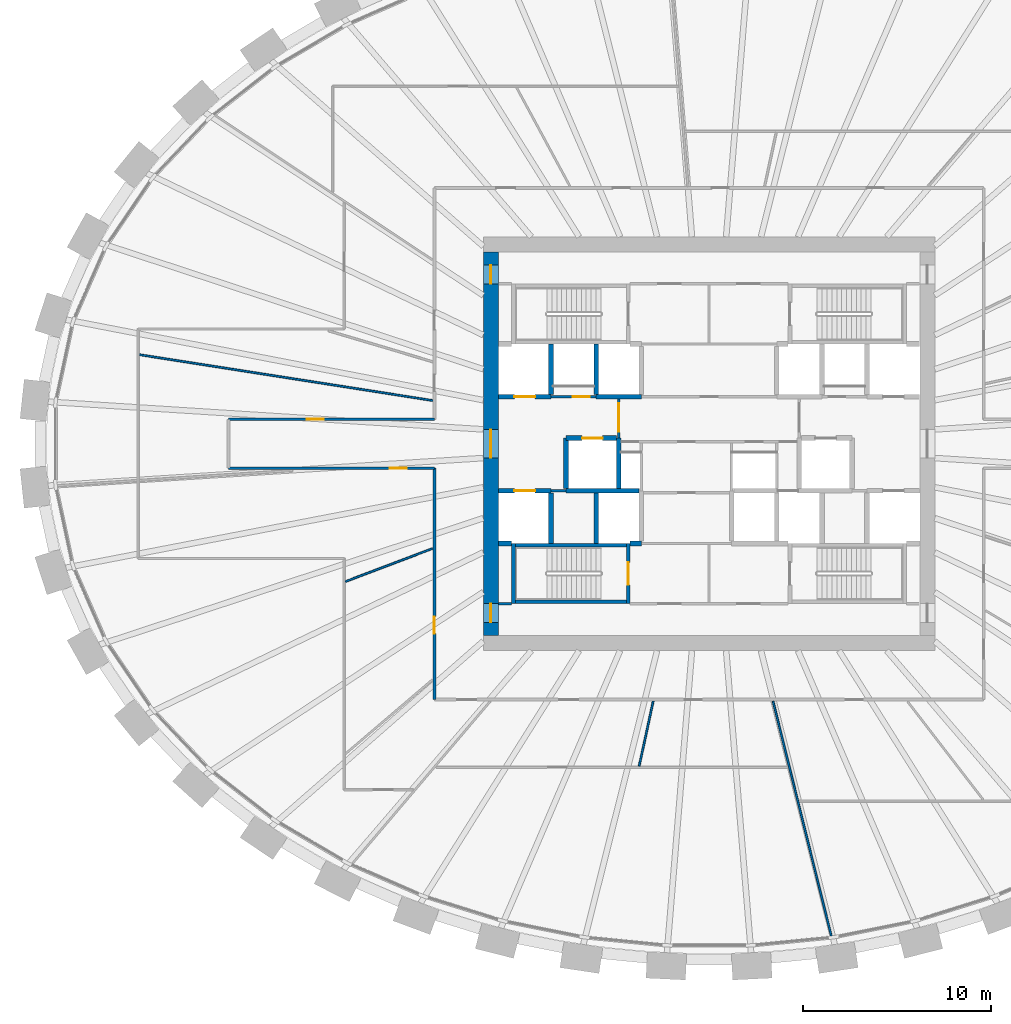
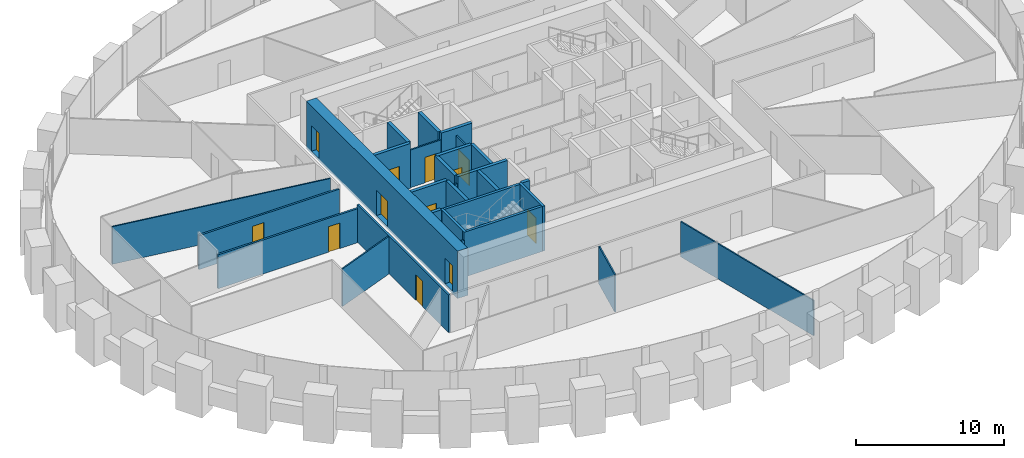
# One storey, part 6 of 11: 29 walls, 12 doors, 12 openings.
"""IFC4 building model written with IfcOpenShell, lengths in metres."""

from ifc_helpers import new_model, si_unit, direction, frame, frame_2d, origin, place, context, subcontext, project, spatial, rectangle, extrude, source, transform, mapped, material, layer, layer_set, type_object, element, fill, save


model = new_model("IFC4")

# Units and contexts
model_context = context("Model", 3, precision=1e-05, world=origin(), true_north=direction((0.0, 1.0)))
body_context = subcontext(model_context, "Body", "Model", "MODEL_VIEW")
ifc_project = project(units=[si_unit("LENGTHUNIT", "METRE"), si_unit("AREAUNIT", "SQUARE_METRE"), si_unit("VOLUMEUNIT", "CUBIC_METRE"), si_unit("PLANEANGLEUNIT", "RADIAN"), si_unit("MASSUNIT", "GRAM", prefix="KILO")], contexts=[model_context])

# Site, building, storey
site_placement = place(None, origin())
site = spatial("IfcSite", under=ifc_project, at=site_placement, CompositionType="ELEMENT")
building_placement = place(site_placement, origin())
building = spatial("IfcBuilding", under=site, at=building_placement, Name="Embergate Tower", CompositionType="ELEMENT")
storey_placement = place(building_placement, frame((0.0, 0.0, 199.5)))
storey = spatial("IfcBuildingStorey", under=building, at=storey_placement, Name="L45", CompositionType="ELEMENT", Elevation=199.5)

# Wall, openings, doors
ifc_material_1 = material(Name="Concrete C70", Category="concrete")
ifc_layer_1 = layer(ifc_material_1, 0.800048828125)
ifc_layer_set_1 = layer_set([ifc_layer_1], Name="Concrete C70")
wall_type_1 = type_object("IfcWallType", Name="Core outer wall C70 800", PredefinedType="SHEAR", material=ifc_layer_set_1)
shared_shape_1 = source(origin(), body_context, "Body", "SweptSolid", [
    extrude(rectangle(XDim=20.39990234375, YDim=0.800048828125, at=frame_2d((10.199951171875, 0.0))), origin(), (0.0, 0.0, 1.0), 3.89990234375),
])
wall_1_placement = place(storey_placement, frame((-11.60009765625, -10.199951171875, -0.199951171875), z_axis=(0.0, 0.0, 1.0), x_axis=(0.0, 1.0, 0.0)))
wall_1 = element("IfcWall", 1, at=wall_1_placement, inside=storey, type_object=wall_type_1, Name="CW-L45-W", PredefinedType="SHEAR", context=body_context, shape_type="MappedRepresentation", body=[
    mapped(shared_shape_1, transform((0.0, 0.0, 0.0))),
])
shared_shape_2 = source(origin(), body_context, "Body", "SweptSolid", [
    extrude(rectangle(XDim=1.0, YDim=2.10009765625, at=frame_2d((0.5, 1.050048828125))), frame((0.0, 0.409912109375, 0.0), z_axis=(0.0, -1.0, 0.0), x_axis=(1.0, 0.0, 0.0)), (0.0, 0.0, 1.0), 0.820068359375),
])
opening_1_placement = place(wall_1_placement, frame((18.699951171875, 0.0, 0.199951171875)))
opening_1 = element("IfcOpeningElement", 2, at=opening_1_placement, cuts=wall_1, Name="Opening IF-1d", PredefinedType="OPENING", context=body_context, shape_type="MappedRepresentation", body=[
    mapped(shared_shape_2, transform((0.0, 0.0, 0.0))),
])
opening_2_placement = place(wall_1_placement, frame((0.699951171875, 0.0, 0.199951171875)))
opening_2 = element("IfcOpeningElement", 3, at=opening_2_placement, cuts=wall_1, Name="Opening IF-1d", PredefinedType="OPENING", context=body_context, shape_type="MappedRepresentation", body=[
    mapped(shared_shape_2, transform((0.0, 0.0, 0.0))),
])
shared_shape_3 = source(origin(), body_context, "Body", "SweptSolid", [
    extrude(rectangle(XDim=1.5, YDim=2.10009765625, at=frame_2d((0.75, 1.050048828125))), frame((0.0, 0.409912109375, 0.0), z_axis=(0.0, -1.0, 0.0), x_axis=(1.0, 0.0, 0.0)), (0.0, 0.0, 1.0), 0.820068359375),
])
opening_3_placement = place(wall_1_placement, frame((9.449951171875, 0.0, 0.199951171875)))
opening_3 = element("IfcOpeningElement", 4, at=opening_3_placement, cuts=wall_1, Name="Opening IF-3", PredefinedType="OPENING", context=body_context, shape_type="MappedRepresentation", body=[
    mapped(shared_shape_3, transform((0.0, 0.0, 0.0))),
])
ifc_material_2 = material(Name="Lobby fire door pair 1500")
door_type_1 = type_object("IfcDoorType", Name="Lobby fire door pair 1500", OperationType="DOUBLE_DOOR_SINGLE_SWING", PredefinedType="DOOR", material=ifc_material_2)
shared_shape_4 = source(origin(), body_context, "Body", "SweptSolid", [
    extrude(rectangle(XDim=1.5, YDim=2.10009765625, at=frame_2d((0.75, 1.050048828125))), frame((0.0, 0.02490234375, 0.0), z_axis=(0.0, -1.0, 0.0), x_axis=(1.0, 0.0, 0.0)), (0.0, 0.0, 1.0), 0.050048828125),
])
door_1_placement = place(opening_3_placement, origin())
door_1 = element("IfcDoor", 5, at=door_1_placement, inside=storey, type_object=door_type_1, Name="IF-3 door", OperationType="DOUBLE_DOOR_SINGLE_SWING", OverallHeight=2.10009765625, OverallWidth=1.5, PredefinedType="DOOR", context=body_context, shape_type="MappedRepresentation", body=[
    mapped(shared_shape_4, transform((0.0, 0.0, 0.0))),
])
fill(opening_3, door_1)
ifc_material_3 = material(Name="Escape fire door 1000")
door_type_2 = type_object("IfcDoorType", Name="Escape fire door 1000", OperationType="SINGLE_SWING_LEFT", PredefinedType="DOOR", material=ifc_material_3)
shared_shape_5 = source(origin(), body_context, "Body", "SweptSolid", [
    extrude(rectangle(XDim=1.0, YDim=2.10009765625, at=frame_2d((0.5, 1.050048828125))), frame((0.0, 0.02490234375, 0.0), z_axis=(0.0, -1.0, 0.0), x_axis=(1.0, 0.0, 0.0)), (0.0, 0.0, 1.0), 0.050048828125),
])
door_2_placement = place(opening_1_placement, origin())
door_2 = element("IfcDoor", 6, at=door_2_placement, inside=storey, type_object=door_type_2, Name="IF-1 door", OperationType="SINGLE_SWING_LEFT", OverallHeight=2.10009765625, OverallWidth=1.0, PredefinedType="DOOR", context=body_context, shape_type="MappedRepresentation", body=[
    mapped(shared_shape_5, transform((0.0, 0.0, 0.0))),
])
fill(opening_1, door_2)
door_3_placement = place(opening_2_placement, origin())
door_3 = element("IfcDoor", 7, at=door_3_placement, inside=storey, type_object=door_type_2, Name="IF-1 door", OperationType="SINGLE_SWING_RIGHT", OverallHeight=2.10009765625, OverallWidth=1.0, PredefinedType="DOOR", context=body_context, shape_type="MappedRepresentation", body=[
    mapped(shared_shape_5, transform((0.0, 0.0, 0.0))),
])
fill(opening_2, door_3)

# Walls
ifc_material_4 = material(Name="Concrete C50", Category="concrete")
ifc_layer_2 = layer(ifc_material_4, 0.25)
ifc_layer_set_2 = layer_set([ifc_layer_2], Name="Concrete C50")
wall_type_2 = type_object("IfcWallType", Name="Hoistway wall reinforced concrete 250", PredefinedType="SHEAR", material=ifc_layer_set_2)
shared_shape_6 = source(origin(), body_context, "Body", "SweptSolid", [
    extrude(rectangle(XDim=2.675048828125, YDim=0.25, at=frame_2d((1.33740234375, 0.0))), origin(), (0.0, 0.0, 1.0), 3.699951171875),
])
for number, where, z_axis, x_axis, name in (
    (8, (-8.39990234375, 2.625, 0.0), (0.0, 0.0, 1.0), (0.0, 1.0, 0.0), "HW-1 wall"),
    (9, (-6.0, 2.625, 0.0), (0.0, 0.0, 1.0), (0.0, 1.0, 0.0), "HW-1 wall"),
    (10, (-4.800048828125, 0.300048828125, 0.0), (0.0, 0.0, 1.0), (0.0, -1.0, 0.0), "HW-1 wall"),
):
    element("IfcWall", number, at=place(storey_placement, frame(where, z_axis=z_axis, x_axis=x_axis)), inside=storey, type_object=wall_type_2, Name=name, PredefinedType="SHEAR", context=body_context, shape_type="MappedRepresentation", body=[
        mapped(shared_shape_6, transform((0.0, 0.0, 0.0))),
    ])

# Wall, opening, door
wall_2_placement = place(storey_placement, frame((-4.925048828125, 0.300048828125, 0.0), z_axis=(0.0, 0.0, 1.0), x_axis=(-1.0, 0.0, 0.0)))
wall_2 = element("IfcWall", 11, at=wall_2_placement, inside=storey, type_object=wall_type_2, Name="HW-1 wall", PredefinedType="SHEAR", context=body_context, shape_type="MappedRepresentation", body=[
    mapped(shared_shape_6, transform((0.0, 0.0, 0.0))),
])
shared_shape_7 = source(origin(), body_context, "Body", "SweptSolid", [
    extrude(rectangle(XDim=1.10009765625, YDim=2.10009765625, at=frame_2d((0.550048828125, 1.050048828125))), frame((0.0, 0.135009765625, 0.0), z_axis=(0.0, -1.0, 0.0), x_axis=(1.0, 0.0, 0.0)), (0.0, 0.0, 1.0), 0.27001953125),
])
opening_4_placement = place(wall_2_placement, frame((0.72509765625, 0.0, 0.0)))
opening_4 = element("IfcOpeningElement", 12, at=opening_4_placement, cuts=wall_2, Name="Opening LD", PredefinedType="OPENING", context=body_context, shape_type="MappedRepresentation", body=[
    mapped(shared_shape_7, transform((0.0, 0.0, 0.0))),
])
ifc_material_5 = material(Name="Landing door sliding 1100")
door_type_3 = type_object("IfcDoorType", Name="Landing door sliding 1100", OperationType="SLIDING_TO_LEFT", PredefinedType="DOOR", material=ifc_material_5)
shared_shape_8 = source(origin(), body_context, "Body", "SweptSolid", [
    extrude(rectangle(XDim=1.10009765625, YDim=2.10009765625, at=frame_2d((0.550048828125, 1.050048828125))), frame((0.0, 0.02490234375, 0.0), z_axis=(0.0, -1.0, 0.0), x_axis=(1.0, 0.0, 0.0)), (0.0, 0.0, 1.0), 0.050048828125),
])
door_4_placement = place(opening_4_placement, origin())
door_4 = element("IfcDoor", 13, at=door_4_placement, inside=storey, type_object=door_type_3, Name="LD door", OperationType="SLIDING_TO_RIGHT", OverallHeight=2.10009765625, OverallWidth=1.10009765625, PredefinedType="DOOR", context=body_context, shape_type="MappedRepresentation", body=[
    mapped(shared_shape_8, transform((0.0, 0.0, 0.0))),
])
fill(opening_4, door_4)

# Walls
wall_3_placement = place(storey_placement, frame((-7.60009765625, 0.300048828125, 0.0), z_axis=(0.0, 0.0, 1.0), x_axis=(0.0, -1.0, 0.0)))
element("IfcWall", 14, at=wall_3_placement, inside=storey, type_object=wall_type_2, Name="HW-1 wall", PredefinedType="SHEAR", context=body_context, shape_type="MappedRepresentation", body=[
    mapped(shared_shape_6, transform((0.0, 0.0, 0.0))),
])
ifc_layer_3 = layer(ifc_material_4, 0.199951171875)
ifc_layer_set_3 = layer_set([ifc_layer_3], Name="Concrete C50")
wall_type_3 = type_object("IfcWallType", Name="Stair enclosure wall reinforced concrete 250", PredefinedType="SHEAR", material=ifc_layer_set_3)
shared_shape_9 = source(origin(), body_context, "Body", "SweptSolid", [
    extrude(rectangle(XDim=6.300048828125, YDim=0.199951171875, at=frame_2d((3.14990234375, 0.0))), origin(), (0.0, 0.0, 1.0), 3.699951171875),
])
for number, where, z_axis, x_axis, name in (
    (15, (-10.5, -5.39990234375, 0.0), (0.0, 0.0, 1.0), (1.0, 0.0, 0.0), "SE-1 wall"),
    (16, (-10.5, -8.39990234375, 0.0), (0.0, 0.0, 1.0), (1.0, 0.0, 0.0), "SE-1 wall"),
):
    element("IfcWall", number, at=place(storey_placement, frame(where, z_axis=z_axis, x_axis=x_axis)), inside=storey, type_object=wall_type_3, Name=name, PredefinedType="SHEAR", context=body_context, shape_type="MappedRepresentation", body=[
        mapped(shared_shape_9, transform((0.0, 0.0, 0.0))),
    ])

# Wall, opening, door
ifc_material_6 = material(Name="Core partition blockwork 120")
ifc_layer_4 = layer(ifc_material_6, 0.1201171875)
ifc_layer_set_4 = layer_set([ifc_layer_4], Name="Core partition blockwork 120")
wall_type_4 = type_object("IfcWallType", Name="Core partition blockwork 120", PredefinedType="PARTITIONING", material=ifc_layer_set_4)
shared_shape_10 = source(origin(), body_context, "Body", "SweptSolid", [
    extrude(rectangle(XDim=2.074951171875, YDim=0.1201171875, at=frame_2d((1.03759765625, 0.0))), origin(), (0.0, 0.0, 1.0), 3.10009765625),
])
wall_4_placement = place(storey_placement, frame((-4.800048828125, 2.375, 0.0), z_axis=(0.0, 0.0, 1.0), x_axis=(0.0, -1.0, 0.0)))
wall_4 = element("IfcWall", 17, at=wall_4_placement, inside=storey, type_object=wall_type_4, Name="IP-3 wall", PredefinedType="PARTITIONING", context=body_context, shape_type="MappedRepresentation", body=[
    mapped(shared_shape_10, transform((0.0, 0.0, 0.0))),
])
shared_shape_11 = source(origin(), body_context, "Body", "SweptSolid", [
    extrude(rectangle(XDim=1.5, YDim=2.10009765625, at=frame_2d((0.75, 1.050048828125))), frame((0.0, 0.070068359375, 0.0), z_axis=(0.0, -1.0, 0.0), x_axis=(1.0, 0.0, 0.0)), (0.0, 0.0, 1.0), 0.14013671875),
])
opening_5_placement = place(wall_4_placement, frame((0.22509765625, 0.0, 0.0)))
opening_5 = element("IfcOpeningElement", 18, at=opening_5_placement, cuts=wall_4, Name="Opening IF-3", PredefinedType="OPENING", context=body_context, shape_type="MappedRepresentation", body=[
    mapped(shared_shape_11, transform((0.0, 0.0, 0.0))),
])
door_5_placement = place(opening_5_placement, origin())
door_5 = element("IfcDoor", 19, at=door_5_placement, inside=storey, type_object=door_type_1, Name="IF-3 door", OperationType="DOUBLE_DOOR_SINGLE_SWING", OverallHeight=2.10009765625, OverallWidth=1.5, PredefinedType="DOOR", context=body_context, shape_type="MappedRepresentation", body=[
    mapped(shared_shape_4, transform((0.0, 0.0, 0.0))),
])
fill(opening_5, door_5)

shared_shape_12 = source(origin(), body_context, "Body", "SweptSolid", [
    extrude(rectangle(XDim=3.199951171875, YDim=0.199951171875, at=frame_2d((1.60009765625, 0.0))), origin(), (0.0, 0.0, 1.0), 3.699951171875),
])
wall_5_placement = place(storey_placement, frame((-4.300048828125, -8.5, 0.0), z_axis=(0.0, 0.0, 1.0), x_axis=(0.0, 1.0, 0.0)))
wall_5 = element("IfcWall", 20, at=wall_5_placement, inside=storey, type_object=wall_type_3, Name="SE-1 wall", PredefinedType="SHEAR", context=body_context, shape_type="MappedRepresentation", body=[
    mapped(shared_shape_12, transform((0.0, 0.0, 0.0))),
])
shared_shape_13 = source(origin(), body_context, "Body", "SweptSolid", [
    extrude(rectangle(XDim=1.199951171875, YDim=2.10009765625, at=frame_2d((0.60009765625, 1.050048828125))), frame((0.0, 0.10986328125, 0.0), z_axis=(0.0, -1.0, 0.0), x_axis=(1.0, 0.0, 0.0)), (0.0, 0.0, 1.0), 0.219970703125),
])
opening_6_placement = place(wall_5_placement, frame((1.0, 0.0, 0.0)))
opening_6 = element("IfcOpeningElement", 21, at=opening_6_placement, cuts=wall_5, Name="Opening IF-2", PredefinedType="OPENING", context=body_context, shape_type="MappedRepresentation", body=[
    mapped(shared_shape_13, transform((0.0, 0.0, 0.0))),
])
ifc_material_7 = material(Name="Stair enclosure door 1200")
door_type_4 = type_object("IfcDoorType", Name="Stair enclosure door 1200", OperationType="SINGLE_SWING_LEFT", PredefinedType="DOOR", material=ifc_material_7)
shared_shape_14 = source(origin(), body_context, "Body", "SweptSolid", [
    extrude(rectangle(XDim=1.199951171875, YDim=2.10009765625, at=frame_2d((0.60009765625, 1.050048828125))), frame((0.0, 0.02490234375, 0.0), z_axis=(0.0, -1.0, 0.0), x_axis=(1.0, 0.0, 0.0)), (0.0, 0.0, 1.0), 0.050048828125),
])
door_6_placement = place(opening_6_placement, origin())
door_6 = element("IfcDoor", 22, at=door_6_placement, inside=storey, type_object=door_type_4, Name="IF-2 door", OperationType="SINGLE_SWING_RIGHT", OverallHeight=2.10009765625, OverallWidth=1.199951171875, PredefinedType="DOOR", context=body_context, shape_type="MappedRepresentation", body=[
    mapped(shared_shape_14, transform((0.0, 0.0, 0.0))),
])
fill(opening_6, door_6)

# Wall
shared_shape_15 = source(origin(), body_context, "Body", "SweptSolid", [
    extrude(rectangle(XDim=2.39990234375, YDim=0.25, at=frame_2d((1.199951171875, 0.0))), origin(), (0.0, 0.0, 1.0), 3.699951171875),
])
wall_6_placement = place(storey_placement, frame((-6.0, 2.5, 0.0), z_axis=(0.0, 0.0, 1.0), x_axis=(1.0, 0.0, 0.0)))
element("IfcWall", 23, at=wall_6_placement, inside=storey, type_object=wall_type_2, Name="HW-1 wall", PredefinedType="SHEAR", context=body_context, shape_type="MappedRepresentation", body=[
    mapped(shared_shape_15, transform((0.0, 0.0, 0.0))),
])

# Wall, opening, door
ifc_material_8 = material(Name="Corridor wall dry-lined 150")
ifc_layer_5 = layer(ifc_material_8, 0.14990234375)
ifc_layer_set_5 = layer_set([ifc_layer_5], Name="Corridor wall dry-lined 150")
wall_type_5 = type_object("IfcWallType", Name="Corridor wall dry-lined 150", PredefinedType="PARTITIONING", material=ifc_layer_set_5)
shared_shape_16 = source(origin(), body_context, "Body", "SweptSolid", [
    extrude(rectangle(XDim=10.949951171875, YDim=0.14990234375, at=frame_2d((5.47509765625, 0.0))), origin(), (0.0, 0.0, 1.0), 2.800048828125),
])
wall_7_placement = place(storey_placement, frame((-25.550048828125, -1.300048828125, 0.0), z_axis=(0.0, 0.0, 1.0), x_axis=(1.0, 0.0, 0.0)))
wall_7 = element("IfcWall", 24, at=wall_7_placement, inside=storey, type_object=wall_type_5, Name="IP-2 wall", PredefinedType="PARTITIONING", context=body_context, shape_type="MappedRepresentation", body=[
    mapped(shared_shape_16, transform((0.0, 0.0, 0.0))),
])
shared_shape_17 = source(origin(), body_context, "Body", "SweptSolid", [
    extrude(rectangle(XDim=0.89990234375, YDim=2.10009765625, at=frame_2d((0.449951171875, 1.050048828125))), frame((0.0, 0.0849609375, 0.0), z_axis=(0.0, -1.0, 0.0), x_axis=(1.0, 0.0, 0.0)), (0.0, 0.0, 1.0), 0.169921875),
])
opening_7_placement = place(wall_7_placement, frame((8.5869140625, 0.0, 0.0)))
opening_7 = element("IfcOpeningElement", 25, at=opening_7_placement, cuts=wall_7, Name="Opening IF-1c", PredefinedType="OPENING", context=body_context, shape_type="MappedRepresentation", body=[
    mapped(shared_shape_17, transform((0.0, 0.0, 0.0))),
])
ifc_material_9 = material(Name="Escape fire door 900")
door_type_5 = type_object("IfcDoorType", Name="Escape fire door 900", OperationType="SINGLE_SWING_LEFT", PredefinedType="DOOR", material=ifc_material_9)
shared_shape_18 = source(origin(), body_context, "Body", "SweptSolid", [
    extrude(rectangle(XDim=0.89990234375, YDim=2.10009765625, at=frame_2d((0.449951171875, 1.050048828125))), frame((0.0, 0.02490234375, 0.0), z_axis=(0.0, -1.0, 0.0), x_axis=(1.0, 0.0, 0.0)), (0.0, 0.0, 1.0), 0.050048828125),
])
door_7_placement = place(opening_7_placement, origin())
door_7 = element("IfcDoor", 26, at=door_7_placement, inside=storey, type_object=door_type_5, Name="IF-1 door", OperationType="SINGLE_SWING_LEFT", OverallHeight=2.10009765625, OverallWidth=0.89990234375, PredefinedType="DOOR", context=body_context, shape_type="MappedRepresentation", body=[
    mapped(shared_shape_18, transform((0.0, 0.0, 0.0))),
])
fill(opening_7, door_7)

wall_8_placement = place(storey_placement, frame((-14.60009765625, 1.300048828125, 0.0), z_axis=(0.0, 0.0, 1.0), x_axis=(-1.0, 0.0, 0.0)))
wall_8 = element("IfcWall", 27, at=wall_8_placement, inside=storey, type_object=wall_type_5, Name="IP-2 wall", PredefinedType="PARTITIONING", context=body_context, shape_type="MappedRepresentation", body=[
    mapped(shared_shape_16, transform((0.0, 0.0, 0.0))),
])
opening_8_placement = place(wall_8_placement, frame((5.875, 0.0, 0.0)))
opening_8 = element("IfcOpeningElement", 28, at=opening_8_placement, cuts=wall_8, Name="Opening IF-1c", PredefinedType="OPENING", context=body_context, shape_type="MappedRepresentation", body=[
    mapped(shared_shape_17, transform((0.0, 0.0, 0.0))),
])
door_8_placement = place(opening_8_placement, origin())
door_8 = element("IfcDoor", 29, at=door_8_placement, inside=storey, type_object=door_type_5, Name="IF-1 door", OperationType="SINGLE_SWING_RIGHT", OverallHeight=2.10009765625, OverallWidth=0.89990234375, PredefinedType="DOOR", context=body_context, shape_type="MappedRepresentation", body=[
    mapped(shared_shape_18, transform((0.0, 0.0, 0.0))),
])
fill(opening_8, door_8)

shared_shape_19 = source(origin(), body_context, "Body", "SweptSolid", [
    extrude(rectangle(XDim=2.800048828125, YDim=0.25, at=frame_2d((1.39990234375, 0.0))), origin(), (0.0, 0.0, 1.0), 3.699951171875),
])
wall_9_placement = place(storey_placement, frame((-11.199951171875, 2.5, 0.0), z_axis=(0.0, 0.0, 1.0), x_axis=(1.0, 0.0, 0.0)))
wall_9 = element("IfcWall", 30, at=wall_9_placement, inside=storey, type_object=wall_type_2, Name="HW-1 wall", PredefinedType="SHEAR", context=body_context, shape_type="MappedRepresentation", body=[
    mapped(shared_shape_19, transform((0.0, 0.0, 0.0))),
])
opening_9_placement = place(wall_9_placement, frame((0.85009765625, 0.0, 0.0)))
opening_9 = element("IfcOpeningElement", 31, at=opening_9_placement, cuts=wall_9, Name="Opening LD", PredefinedType="OPENING", context=body_context, shape_type="MappedRepresentation", body=[
    mapped(shared_shape_7, transform((0.0, 0.0, 0.0))),
])
door_9_placement = place(opening_9_placement, origin())
door_9 = element("IfcDoor", 32, at=door_9_placement, inside=storey, type_object=door_type_3, Name="LD door", OperationType="SLIDING_TO_RIGHT", OverallHeight=2.10009765625, OverallWidth=1.10009765625, PredefinedType="DOOR", context=body_context, shape_type="MappedRepresentation", body=[
    mapped(shared_shape_8, transform((0.0, 0.0, 0.0))),
])
fill(opening_9, door_9)

wall_10_placement = place(storey_placement, frame((-8.39990234375, -2.5, 0.0), z_axis=(0.0, 0.0, 1.0), x_axis=(-1.0, 0.0, 0.0)))
wall_10 = element("IfcWall", 33, at=wall_10_placement, inside=storey, type_object=wall_type_2, Name="HW-1 wall", PredefinedType="SHEAR", context=body_context, shape_type="MappedRepresentation", body=[
    mapped(shared_shape_19, transform((0.0, 0.0, 0.0))),
])
opening_10_placement = place(wall_10_placement, frame((0.85009765625, 0.0, 0.0)))
opening_10 = element("IfcOpeningElement", 34, at=opening_10_placement, cuts=wall_10, Name="Opening LD", PredefinedType="OPENING", context=body_context, shape_type="MappedRepresentation", body=[
    mapped(shared_shape_7, transform((0.0, 0.0, 0.0))),
])
door_10_placement = place(opening_10_placement, origin())
door_10 = element("IfcDoor", 35, at=door_10_placement, inside=storey, type_object=door_type_3, Name="LD door", OperationType="SLIDING_TO_LEFT", OverallHeight=2.10009765625, OverallWidth=1.10009765625, PredefinedType="DOOR", context=body_context, shape_type="MappedRepresentation", body=[
    mapped(shared_shape_8, transform((0.0, 0.0, 0.0))),
])
fill(opening_10, door_10)

shared_shape_20 = source(origin(), body_context, "Body", "SweptSolid", [
    extrude(rectangle(XDim=2.39990234375, YDim=0.1201171875, at=frame_2d((1.199951171875, 0.0))), origin(), (0.0, 0.0, 1.0), 3.10009765625),
])
wall_11_placement = place(storey_placement, frame((-8.39990234375, 2.5, 0.0), z_axis=(0.0, 0.0, 1.0), x_axis=(1.0, 0.0, 0.0)))
wall_11 = element("IfcWall", 36, at=wall_11_placement, inside=storey, type_object=wall_type_4, Name="IP-3 wall", PredefinedType="PARTITIONING", context=body_context, shape_type="MappedRepresentation", body=[
    mapped(shared_shape_20, transform((0.0, 0.0, 0.0))),
])
shared_shape_21 = source(origin(), body_context, "Body", "SweptSolid", [
    extrude(rectangle(XDim=0.89990234375, YDim=2.10009765625, at=frame_2d((0.449951171875, 1.050048828125))), frame((0.0, 0.070068359375, 0.0), z_axis=(0.0, -1.0, 0.0), x_axis=(1.0, 0.0, 0.0)), (0.0, 0.0, 1.0), 0.14013671875),
])
opening_11_placement = place(wall_11_placement, frame((1.14990234375, 0.0, 0.0)))
opening_11 = element("IfcOpeningElement", 37, at=opening_11_placement, cuts=wall_11, Name="Opening ID-1", PredefinedType="OPENING", context=body_context, shape_type="MappedRepresentation", body=[
    mapped(shared_shape_21, transform((0.0, 0.0, 0.0))),
])
ifc_material_10 = material(Name="Interior door 900")
door_type_6 = type_object("IfcDoorType", Name="Interior door 900", OperationType="SINGLE_SWING_LEFT", PredefinedType="DOOR", material=ifc_material_10)
door_11_placement = place(opening_11_placement, origin())
door_11 = element("IfcDoor", 38, at=door_11_placement, inside=storey, type_object=door_type_6, Name="ID-1 door", OperationType="SINGLE_SWING_RIGHT", OverallHeight=2.10009765625, OverallWidth=0.89990234375, PredefinedType="DOOR", context=body_context, shape_type="MappedRepresentation", body=[
    mapped(shared_shape_18, transform((0.0, 0.0, 0.0))),
])
fill(opening_11, door_11)

# Walls
shared_shape_22 = source(origin(), body_context, "Body", "SweptSolid", [
    extrude(rectangle(XDim=0.599853515625, YDim=0.25, at=frame_2d((0.2998046875, 0.0))), origin(), (0.0, 0.0, 1.0), 3.699951171875),
])
wall_12_placement = place(storey_placement, frame((-4.199951171875, -5.300048828125, 0.0), z_axis=(0.0, 0.0, 1.0), x_axis=(1.0, 0.0, 0.0)))
element("IfcWall", 39, at=wall_12_placement, inside=storey, type_object=wall_type_2, Name="HW-1 wall", PredefinedType="SHEAR", context=body_context, shape_type="MappedRepresentation", body=[
    mapped(shared_shape_22, transform((0.0, 0.0, 0.0))),
])
shared_shape_23 = source(origin(), body_context, "Body", "SweptSolid", [
    extrude(rectangle(XDim=3.872802734375, YDim=0.25, at=frame_2d((1.9365234375, 0.0))), origin(), (0.0, 0.0, 1.0), 3.699951171875),
])
wall_13_placement = place(storey_placement, frame((-3.72509765625, -2.5, 0.0), z_axis=(0.0, 0.0, 1.0), x_axis=(-1.0, 0.0, 0.0)))
element("IfcWall", 40, at=wall_13_placement, inside=storey, type_object=wall_type_2, Name="HW-1 wall", PredefinedType="SHEAR", context=body_context, shape_type="MappedRepresentation", body=[
    mapped(shared_shape_23, transform((0.0, 0.0, 0.0))),
])
shared_shape_24 = source(origin(), body_context, "Body", "SweptSolid", [
    extrude(rectangle(XDim=3.196044921875, YDim=0.199951171875, at=frame_2d((1.59814453125, 0.0))), origin(), (0.0, 0.0, 1.0), 3.699951171875),
])
wall_14_placement = place(storey_placement, frame((-10.39990234375, -5.302001953125, 0.0), z_axis=(0.0, 0.0, 1.0), x_axis=(0.0, -1.0, 0.0)))
element("IfcWall", 41, at=wall_14_placement, inside=storey, type_object=wall_type_3, Name="SE-1 wall", PredefinedType="SHEAR", context=body_context, shape_type="MappedRepresentation", body=[
    mapped(shared_shape_24, transform((0.0, 0.0, 0.0))),
])
shared_shape_25 = source(origin(), body_context, "Body", "SweptSolid", [
    extrude(rectangle(XDim=0.697998046875, YDim=0.25, at=frame_2d((0.34912109375, 0.0))), origin(), (0.0, 0.0, 1.0), 3.699951171875),
])
wall_15_placement = place(storey_placement, frame((-11.199951171875, -5.300048828125, 0.0), z_axis=(0.0, 0.0, 1.0), x_axis=(1.0, 0.0, 0.0)))
element("IfcWall", 42, at=wall_15_placement, inside=storey, type_object=wall_type_2, Name="HW-1 wall", PredefinedType="SHEAR", context=body_context, shape_type="MappedRepresentation", body=[
    mapped(shared_shape_25, transform((0.0, 0.0, 0.0))),
])
shared_shape_26 = source(origin(), body_context, "Body", "SweptSolid", [
    extrude(rectangle(XDim=2.671142578125, YDim=0.25, at=frame_2d((1.33544921875, 0.0))), origin(), (0.0, 0.0, 1.0), 3.699951171875),
])
for number, where, z_axis, x_axis, name in (
    (43, (-8.39990234375, -5.298095703125, 0.0), (0.0, 0.0, 1.0), (0.0, 1.0, 0.0), "HW-1 wall"),
    (44, (-6.0, -2.626953125, 0.0), (0.0, 0.0, 1.0), (0.0, -1.0, 0.0), "HW-1 wall"),
):
    element("IfcWall", number, at=place(storey_placement, frame(where, z_axis=z_axis, x_axis=x_axis)), inside=storey, type_object=wall_type_2, Name=name, PredefinedType="SHEAR", context=body_context, shape_type="MappedRepresentation", body=[
        mapped(shared_shape_26, transform((0.0, 0.0, 0.0))),
    ])
shared_shape_27 = source(origin(), body_context, "Body", "SweptSolid", [
    extrude(rectangle(XDim=0.7958984375, YDim=0.1201171875, at=frame_2d((0.39794921875, 0.0))), origin(), (0.0, 0.0, 1.0), 3.10009765625),
])
wall_16_placement = place(storey_placement, frame((-8.39794921875, -2.5, 0.0), z_axis=(0.0, 0.0, 1.0), x_axis=(1.0, 0.0, 0.0)))
element("IfcWall", 45, at=wall_16_placement, inside=storey, type_object=wall_type_4, Name="IP-3 wall", PredefinedType="PARTITIONING", context=body_context, shape_type="MappedRepresentation", body=[
    mapped(shared_shape_27, transform((0.0, 0.0, 0.0))),
])
shared_shape_28 = source(origin(), body_context, "Body", "SweptSolid", [
    extrude(rectangle(XDim=0.697998046875, YDim=0.1201171875, at=frame_2d((0.34912109375, 0.0))), origin(), (0.0, 0.0, 1.0), 3.10009765625),
])
wall_17_placement = place(storey_placement, frame((-10.501953125, -8.5, 0.0), z_axis=(0.0, 0.0, 1.0), x_axis=(-1.0, 0.0, 0.0)))
element("IfcWall", 46, at=wall_17_placement, inside=storey, type_object=wall_type_4, Name="IP-3 wall", PredefinedType="PARTITIONING", context=body_context, shape_type="MappedRepresentation", body=[
    mapped(shared_shape_28, transform((0.0, 0.0, 0.0))),
])

# Wall, opening, door
shared_shape_29 = source(origin(), body_context, "Body", "SweptSolid", [
    extrude(rectangle(XDim=12.300048828125, YDim=0.14990234375, at=frame_2d((6.14990234375, 0.0))), origin(), (0.0, 0.0, 1.0), 3.10009765625),
])
wall_18_placement = place(storey_placement, frame((-14.60009765625, -1.300048828125, 0.0), z_axis=(0.0, 0.0, 1.0), x_axis=(0.0, -1.0, 0.0)))
wall_18 = element("IfcWall", 47, at=wall_18_placement, inside=storey, type_object=wall_type_5, Name="IP-2 wall", PredefinedType="PARTITIONING", context=body_context, shape_type="MappedRepresentation", body=[
    mapped(shared_shape_29, transform((0.0, 0.0, 0.0))),
])
opening_12_placement = place(wall_18_placement, frame((7.89404296875, 0.0, 0.0)))
opening_12 = element("IfcOpeningElement", 48, at=opening_12_placement, cuts=wall_18, Name="Opening IF-1c", PredefinedType="OPENING", context=body_context, shape_type="MappedRepresentation", body=[
    mapped(shared_shape_17, transform((0.0, 0.0, 0.0))),
])
door_12_placement = place(opening_12_placement, origin())
door_12 = element("IfcDoor", 49, at=door_12_placement, inside=storey, type_object=door_type_5, Name="IF-1 door", OperationType="SINGLE_SWING_LEFT", OverallHeight=2.10009765625, OverallWidth=0.89990234375, PredefinedType="DOOR", context=body_context, shape_type="MappedRepresentation", body=[
    mapped(shared_shape_18, transform((0.0, 0.0, 0.0))),
])
fill(opening_12, door_12)

# Walls
ifc_material_11 = material(Name="Partition dry-lined 100")
ifc_layer_6 = layer(ifc_material_11, 0.10009765625)
ifc_layer_set_6 = layer_set([ifc_layer_6], Name="Partition dry-lined 100")
wall_type_6 = type_object("IfcWallType", Name="Partition dry-lined 100", PredefinedType="PARTITIONING", material=ifc_layer_set_6)
shared_shape_30 = source(origin(), body_context, "Body", "SweptSolid", [
    extrude(rectangle(XDim=4.961181640625, YDim=0.10009765625, at=frame_2d((2.48046875, 0.0))), origin(), (0.0, 0.0, 1.0), 3.10009765625),
])
wall_19_placement = place(storey_placement, frame((-14.693115234375, -5.569091796875, 0.0), z_axis=(0.0, 0.0, 1.0), x_axis=(-0.935050972138, -0.354513299473, 0.0)))
element("IfcWall", 50, at=wall_19_placement, inside=storey, type_object=wall_type_6, Name="IP-1 wall", PredefinedType="PARTITIONING", context=body_context, shape_type="MappedRepresentation", body=[
    mapped(shared_shape_30, transform((0.0, 0.0, 0.0))),
])
shared_shape_31 = source(origin(), body_context, "Body", "SweptSolid", [
    extrude(rectangle(XDim=3.532958984375, YDim=0.10009765625, at=frame_2d((1.7666015625, 0.0))), origin(), (0.0, 0.0, 1.0), 3.10009765625),
])
wall_20_placement = place(storey_placement, frame((-2.967041015625, -13.68603515625, 0.0), z_axis=(0.0, 0.0, 1.0), x_axis=(-0.211732445462, -0.977327668461, 0.0)))
element("IfcWall", 51, at=wall_20_placement, inside=storey, type_object=wall_type_6, Name="IP-1 wall", PredefinedType="PARTITIONING", context=body_context, shape_type="MappedRepresentation", body=[
    mapped(shared_shape_31, transform((0.0, 0.0, 0.0))),
])
shared_shape_32 = source(origin(), body_context, "Body", "SweptSolid", [
    extrude(rectangle(XDim=12.931640625, YDim=0.10009765625, at=frame_2d((6.4658203125, 0.0))), origin(), (0.0, 0.0, 1.0), 2.89990234375),
])
wall_21_placement = place(storey_placement, frame((3.39990234375, -13.68701171875, 0.0), z_axis=(0.0, 0.0, 1.0), x_axis=(0.241127191359, -0.970493522692, 0.0)))
element("IfcWall", 52, at=wall_21_placement, inside=storey, type_object=wall_type_6, Name="IP-1 wall", PredefinedType="PARTITIONING", context=body_context, shape_type="MappedRepresentation", body=[
    mapped(shared_shape_32, transform((0.0, 0.0, 0.0))),
])
shared_shape_33 = source(origin(), body_context, "Body", "SweptSolid", [
    extrude(rectangle(XDim=15.798583984375, YDim=0.10009765625, at=frame_2d((7.8994140625, 0.0))), origin(), (0.0, 0.0, 1.0), 3.10009765625),
])
wall_22_placement = place(storey_placement, frame((-14.68310546875, 2.294921875, 0.0), z_axis=(0.0, 0.0, 1.0), x_axis=(-0.987999508657, 0.154457019567, 0.0)))
element("IfcWall", 53, at=wall_22_placement, inside=storey, type_object=wall_type_6, Name="IP-1 wall", PredefinedType="PARTITIONING", context=body_context, shape_type="MappedRepresentation", body=[
    mapped(shared_shape_33, transform((0.0, 0.0, 0.0))),
])

save(model, "model.ifc")
